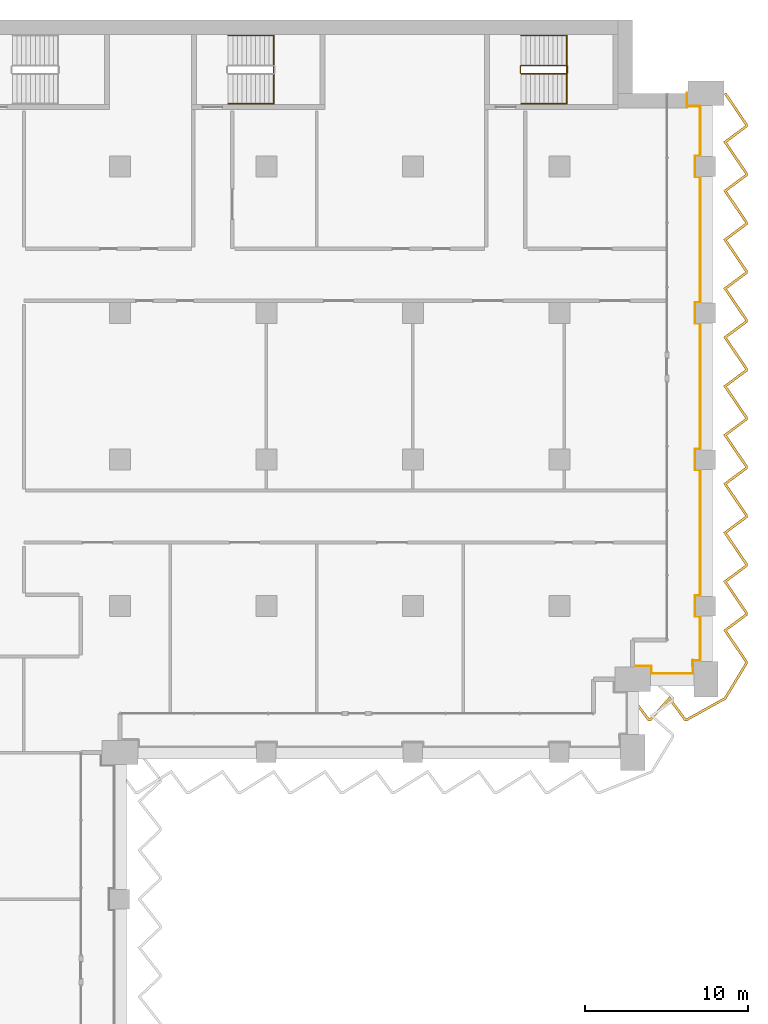
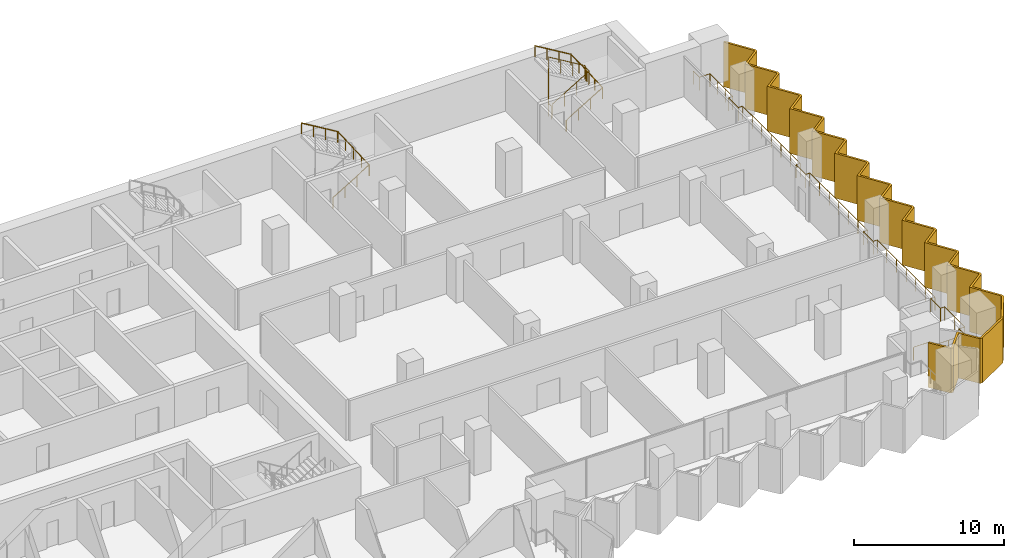
# One storey, part 22 of 22: 4 railings, 1 shading device.
"""IFC4 building model written with IfcOpenShell, lengths in metres."""

import ifcopenshell
import ifcopenshell.guid

model = None  # the IFC model being written
_history = None  # IfcOwnerHistory: only IFC2X3 demands one
_inside = {}  # id of a spatial element -> (the spatial element, [elements in it])
_under = {}  # id of a project, library or spatial element -> (it, [spatial elements below it])
_declared = {}  # id of a project -> (the project, [libraries it declares])
_typed = {}  # id of a type object -> (the type object, [elements of that type])
_made_of = {}  # id of a material, layer set ... -> (it, [elements and type objects made of it])


def new_model(schema):
    """Start an empty IFC model of exactly this schema.

    Asked for "IFC4X3", IfcOpenShell would pick the latest addendum, in which some entities
    have other attributes; the version numbers below select the first issue.
    IFC2X3 requires an IfcOwnerHistory on every rooted entity: one is made here for all.
    """
    global model, _history
    if schema == "IFC4X3":
        model = ifcopenshell.file(schema_version=(4, 3, 0, 0))
    else:
        model = ifcopenshell.file(schema=schema)
    _inside.clear()
    _under.clear()
    _declared.clear()
    _typed.clear()
    _made_of.clear()
    _history = None
    if model.schema == "IFC2X3":
        org = make("IfcOrganization", Name="unknown")
        user = make(
            "IfcPersonAndOrganization",
            ThePerson=make("IfcPerson", FamilyName="unknown"),
            TheOrganization=org,
        )
        app = make(
            "IfcApplication",
            ApplicationDeveloper=org,
            Version="unknown",
            ApplicationFullName="unknown",
            ApplicationIdentifier="unknown",
        )
        _history = make(
            "IfcOwnerHistory",
            OwningUser=user,
            OwningApplication=app,
            ChangeAction="ADDED",
            CreationDate=0,
        )
    return model


def make(cls, **values):
    """One entity of the class cls with the attributes given. An attribute that is None is left unset."""
    return model.create_entity(
        cls, **{name: value for name, value in values.items() if value is not None}
    )


def rooted(cls, **values):
    """An entity with a GlobalId (a new one), such as an element, a storey or a relation."""
    return make(cls, GlobalId=ifcopenshell.guid.new(), OwnerHistory=_history, **values)


def si_unit(unit_type, name, prefix=None):
    """IfcSIUnit, for example si_unit("LENGTHUNIT", "METRE", prefix="MILLI")."""
    return make("IfcSIUnit", UnitType=unit_type, Prefix=prefix, Name=name)


def assignment(units):
    """IfcUnitAssignment: the units of a project."""
    return None if units is None else make("IfcUnitAssignment", Units=units)


def point(xyz):
    """IfcCartesianPoint."""
    return None if xyz is None else make("IfcCartesianPoint", Coordinates=xyz)


def direction(xyz):
    """IfcDirection."""
    return None if xyz is None else make("IfcDirection", DirectionRatios=xyz)


def frame(location, z_axis=None, x_axis=None):
    """IfcAxis2Placement3D, a coordinate frame: its origin and axes. An axis left out is left unset."""
    return make(
        "IfcAxis2Placement3D",
        Location=point(location),
        Axis=direction(z_axis),
        RefDirection=direction(x_axis),
    )


def frame_2d(location, x_axis=None):
    """IfcAxis2Placement2D, a coordinate frame in the plane: its origin and x axis."""
    return make(
        "IfcAxis2Placement2D", Location=point(location), RefDirection=direction(x_axis)
    )


def origin():
    """The frame at (0, 0, 0) with its axes left unset."""
    return frame((0.0, 0.0, 0.0))


def origin_2d():
    """The frame at (0, 0) in the plane with its x axis left unset."""
    return frame_2d((0.0, 0.0))


def place(relative_to, where):
    """IfcLocalPlacement: puts the frame where relative to a parent placement (None: the world)."""
    return make(
        "IfcLocalPlacement", PlacementRelTo=relative_to, RelativePlacement=where
    )


def context(
    kind, dimensions, precision=None, world=None, true_north=None, identifier=None
):
    """IfcGeometricRepresentationContext, for example the 3D "Model" context."""
    return make(
        "IfcGeometricRepresentationContext",
        ContextIdentifier=identifier,
        ContextType=kind,
        CoordinateSpaceDimension=dimensions,
        Precision=precision,
        WorldCoordinateSystem=world,
        TrueNorth=true_north,
    )


def subcontext(parent, identifier, kind, view, scale=None):
    """IfcGeometricRepresentationSubContext, for example "Body" below "Model"."""
    return make(
        "IfcGeometricRepresentationSubContext",
        ContextIdentifier=identifier,
        ContextType=kind,
        ParentContext=parent,
        TargetScale=scale,
        TargetView=view,
    )


def project(units=None, contexts=None):
    """IfcProject with its units and contexts."""
    return rooted(
        "IfcProject",
        Name="project",
        RepresentationContexts=contexts,
        UnitsInContext=assignment(units),
    )


def spatial(cls, under=None, at=None, **own):
    """A site, building, storey or space (cls), placed at a placement, below another one or the project."""
    s = rooted(cls, ObjectPlacement=at, **own)
    if under is not None:
        _under.setdefault(under.id(), (under, []))[1].append(s)
    return s


def polyline(points):
    """IfcPolyline through the points."""
    return make("IfcPolyline", Points=[point(p) for p in points])


def profile(cls, at=None, kind="AREA", **sizes):
    """A parametric profile (cls). Its sizes go by their IFC names, for example OverallWidth=200.0."""
    return make(cls, ProfileType=kind, Position=at, **sizes)


def circle(**sizes):
    """IfcCircleProfileDef."""
    return profile("IfcCircleProfileDef", **sizes)


def outline(outer, holes=None, kind="AREA"):
    """IfcArbitraryClosedProfileDef: a profile drawn as a closed curve; with holes, ...WithVoids."""
    if holes is None:
        return make("IfcArbitraryClosedProfileDef", ProfileType=kind, OuterCurve=outer)
    return make(
        "IfcArbitraryProfileDefWithVoids",
        ProfileType=kind,
        OuterCurve=outer,
        InnerCurves=holes,
    )


def extrude(swept, where, along, depth):
    """IfcExtrudedAreaSolid: the profile swept, set in the frame where, extruded along a direction by depth."""
    return make(
        "IfcExtrudedAreaSolid",
        SweptArea=swept,
        Position=where,
        ExtrudedDirection=direction(along),
        Depth=depth,
    )


def shape(context_of_items, identifier, shape_type, items):
    """IfcShapeRepresentation: the items that make up one representation, for example the "Body"."""
    return make(
        "IfcShapeRepresentation",
        ContextOfItems=context_of_items,
        RepresentationIdentifier=identifier,
        RepresentationType=shape_type,
        Items=items,
    )


def material(Name=None, Category=None):
    """IfcMaterial."""
    return make("IfcMaterial", Name=Name, Category=Category)


def layer(
    of_material, thickness, ventilated=None, Name=None, Category=None, Priority=None
):
    """IfcMaterialLayer: one layer of a wall or slab, of a material (None: an air gap)."""
    return make(
        "IfcMaterialLayer",
        Material=of_material,
        LayerThickness=thickness,
        IsVentilated=ventilated,
        Name=Name,
        Category=Category,
        Priority=Priority,
    )


def layer_set(layers, Name=None):
    """IfcMaterialLayerSet."""
    return make("IfcMaterialLayerSet", MaterialLayers=layers, LayerSetName=Name)


def made_of(thing, what):
    """Note that an element or type object is made of a material, layer set ...; save() writes the relation."""
    if what is not None:
        _made_of.setdefault(what.id(), (what, []))[1].append(thing)
    return thing


def type_object(cls, material=None, **own):
    """A type object (cls), such as IfcWallType, which elements share."""
    return made_of(rooted(cls, **own), material)


def element(
    cls,
    number,
    at=None,
    inside=None,
    cuts=None,
    type_object=None,
    material=None,
    context=None,
    identifier="Body",
    shape_type=None,
    held_by="IfcProductDefinitionShape",
    body=None,
    shapes=None,
    **own,
):
    """One element of the class cls, such as IfcWall. Its Tag is "e" and its number.

    at: its placement. inside: the storey or other place that contains it. cuts: it is an
    opening in that element (IfcRelVoidsElement). A single representation is given by context,
    identifier, shape_type and body (its items); several are given by shapes. held_by: the class
    of the entity that holds the representations. save() writes the other relations.
    """
    e = rooted(cls, Tag="e%d" % number, ObjectPlacement=at, **own)
    if body is not None:
        shapes = [shape(context, identifier, shape_type, body)]
    if shapes is not None:
        e.Representation = make(held_by, Representations=shapes)
    if inside is not None:
        _inside.setdefault(inside.id(), (inside, []))[1].append(e)
    if cuts is not None:
        rooted(
            "IfcRelVoidsElement", RelatingBuildingElement=cuts, RelatedOpeningElement=e
        )
    if type_object is not None:
        _typed.setdefault(type_object.id(), (type_object, []))[1].append(e)
    return made_of(e, material)


def aggregate(whole, parts):
    """IfcRelAggregates: a whole, such as a stair, and the parts it consists of."""
    return rooted("IfcRelAggregates", RelatingObject=whole, RelatedObjects=parts)


def save(model, path):
    """Write the relations noted so far, then the file.

    IfcRelAggregates (storeys below a building ...), IfcRelContainedInSpatialStructure (elements
    in a storey), IfcRelDefinesByType, IfcRelAssociatesMaterial and IfcRelDeclares: one each for
    every whole, place, type object, material and project.
    """
    for whole, parts in _under.values():
        aggregate(whole, parts)
    for where, things in _inside.values():
        rooted(
            "IfcRelContainedInSpatialStructure",
            RelatedElements=things,
            RelatingStructure=where,
        )
    for kind, things in _typed.values():
        rooted("IfcRelDefinesByType", RelatedObjects=things, RelatingType=kind)
    for what, things in _made_of.values():
        rooted("IfcRelAssociatesMaterial", RelatedObjects=things, RelatingMaterial=what)
    for by, libraries in _declared.values():
        rooted("IfcRelDeclares", RelatingContext=by, RelatedDefinitions=libraries)
    model.write(path)


model = new_model("IFC4")

# Units and contexts
model_context = context("Model", 3, precision=1e-05, world=origin(), true_north=direction((0.0, 1.0)))
body_context = subcontext(model_context, "Body", "Model", "MODEL_VIEW")
ifc_project = project(units=[si_unit("LENGTHUNIT", "METRE"), si_unit("AREAUNIT", "SQUARE_METRE"), si_unit("VOLUMEUNIT", "CUBIC_METRE"), si_unit("PLANEANGLEUNIT", "RADIAN"), si_unit("MASSUNIT", "GRAM", prefix="KILO")], contexts=[model_context])

# Site, building, storey
site_placement = place(None, origin())
site = spatial("IfcSite", under=ifc_project, at=site_placement, CompositionType="ELEMENT")
building_placement = place(site_placement, origin())
building = spatial("IfcBuilding", under=site, at=building_placement, Name="Hunhe Ridgeline Campus", CompositionType="ELEMENT")
storey_placement = place(building_placement, frame((0.0, 0.0, 92.199951171875)))
storey = spatial("IfcBuildingStorey", under=building, at=storey_placement, Name="L22", CompositionType="ELEMENT", Elevation=92.199951171875)

# Railing
ifc_material_1 = material(Name="Steel Q355", Category="steel")
railing_type_1 = type_object("IfcRailingType", Name="Loggia guard 1100 Steel Q355", PredefinedType="GUARDRAIL", material=ifc_material_1)
railing_1_placement = place(storey_placement, frame((76.5, 59.320068359375, 0.0)))
element("IfcRailing", 1, at=railing_1_placement, inside=storey, type_object=railing_type_1, Name="Loggia guard 3", PredefinedType="GUARDRAIL", context=body_context, shape_type="SweptSolid", body=[
    extrude(circle(Radius=0.02392578125, at=origin_2d()), frame((0.0, 0.0, 1.076171875), z_axis=(1.0, 0.0, 0.0), x_axis=(0.0, 1.0, 0.0)), (0.0, 0.0, 1.0), 1.14990234375),
    extrude(circle(Radius=0.02392578125, at=origin_2d()), frame((1.14990234375, 0.0, 1.076171875), z_axis=(0.0, -1.0, 0.0), x_axis=(1.0, 0.0, 0.0)), (0.0, 0.0, 1.0), 0.469970703125),
    extrude(circle(Radius=0.02392578125, at=origin_2d()), frame((1.14990234375, -0.469970703125, 1.076171875), z_axis=(1.0, 0.0, 0.0), x_axis=(0.0, 1.0, 0.0)), (0.0, 0.0, 1.0), 2.550048828125),
    extrude(circle(Radius=0.02392578125, at=origin_2d()), frame((3.699951171875, -0.469970703125, 1.076171875), z_axis=(0.0, 1.0, 0.0), x_axis=(-1.0, 0.0, 0.0)), (0.0, 0.0, 1.0), 0.81982421875),
    extrude(circle(Radius=0.02392578125, at=origin_2d()), frame((3.699951171875, 0.349853515625, 1.076171875), z_axis=(-0.057129153726, -0.99836679622, 0.0), x_axis=(0.99836679622, -0.057129153726, 0.0)), (0.0, 0.0, 1.0), 0.350341796875),
    extrude(circle(Radius=0.02392578125, at=origin_2d()), frame((3.679931640625, 0.0, 1.076171875), z_axis=(0.0, 1.0, 0.0), x_axis=(-1.0, 0.0, 0.0)), (0.0, 0.0, 1.0), 0.329833984375),
    extrude(circle(Radius=0.02392578125, at=origin_2d()), frame((3.679931640625, 0.329833984375, 1.076171875), z_axis=(1.0, 0.0, 0.0), x_axis=(0.0, 1.0, 0.0)), (0.0, 0.0, 1.0), 0.469970703125),
    extrude(circle(Radius=0.02392578125, at=origin_2d()), frame((4.14990234375, 0.329833984375, 1.076171875), z_axis=(0.0, 1.0, 0.0), x_axis=(-1.0, 0.0, 0.0)), (0.0, 0.0, 1.0), 2.7001953125),
    extrude(circle(Radius=0.02392578125, at=origin_2d()), frame((4.14990234375, 3.030029296875, 1.076171875), z_axis=(-1.0, 0.0, 0.0), x_axis=(0.0, -1.0, 0.0)), (0.0, 0.0, 1.0), 0.31982421875),
    extrude(circle(Radius=0.02392578125, at=origin_2d()), frame((3.830078125, 3.030029296875, 1.076171875), z_axis=(0.0, 1.0, 0.0), x_axis=(-1.0, 0.0, 0.0)), (0.0, 0.0, 1.0), 1.2998046875),
    extrude(circle(Radius=0.02392578125, at=origin_2d()), frame((3.830078125, 4.329833984375, 1.076171875), z_axis=(1.0, 0.0, 0.0), x_axis=(0.0, 1.0, 0.0)), (0.0, 0.0, 1.0), 0.31982421875),
    extrude(circle(Radius=0.02392578125, at=origin_2d()), frame((4.14990234375, 4.329833984375, 1.076171875), z_axis=(0.0, 1.0, 0.0), x_axis=(-1.0, 0.0, 0.0)), (0.0, 0.0, 1.0), 7.7001953125),
    extrude(circle(Radius=0.02392578125, at=origin_2d()), frame((4.14990234375, 12.030029296875, 1.076171875), z_axis=(-1.0, 0.0, 0.0), x_axis=(0.0, -1.0, 0.0)), (0.0, 0.0, 1.0), 0.31982421875),
    extrude(circle(Radius=0.02392578125, at=origin_2d()), frame((3.830078125, 12.030029296875, 1.076171875), z_axis=(0.0, 1.0, 0.0), x_axis=(-1.0, 0.0, 0.0)), (0.0, 0.0, 1.0), 1.2998046875),
    extrude(circle(Radius=0.02392578125, at=origin_2d()), frame((3.830078125, 13.329833984375, 1.076171875), z_axis=(1.0, 0.0, 0.0), x_axis=(0.0, 1.0, 0.0)), (0.0, 0.0, 1.0), 0.31982421875),
    extrude(circle(Radius=0.02392578125, at=origin_2d()), frame((4.14990234375, 13.329833984375, 1.076171875), z_axis=(0.0, 1.0, 0.0), x_axis=(-1.0, 0.0, 0.0)), (0.0, 0.0, 1.0), 7.7001953125),
    extrude(circle(Radius=0.02392578125, at=origin_2d()), frame((4.14990234375, 21.030029296875, 1.076171875), z_axis=(-1.0, 0.0, 0.0), x_axis=(0.0, -1.0, 0.0)), (0.0, 0.0, 1.0), 0.31982421875),
    extrude(circle(Radius=0.02392578125, at=origin_2d()), frame((3.830078125, 21.030029296875, 1.076171875), z_axis=(0.0, 1.0, 0.0), x_axis=(-1.0, 0.0, 0.0)), (0.0, 0.0, 1.0), 1.2998046875),
    extrude(circle(Radius=0.02392578125, at=origin_2d()), frame((3.830078125, 22.329833984375, 1.076171875), z_axis=(1.0, 0.0, 0.0), x_axis=(0.0, 1.0, 0.0)), (0.0, 0.0, 1.0), 0.31982421875),
    extrude(circle(Radius=0.02392578125, at=origin_2d()), frame((4.14990234375, 22.329833984375, 1.076171875), z_axis=(0.0, 1.0, 0.0), x_axis=(-1.0, 0.0, 0.0)), (0.0, 0.0, 1.0), 7.7001953125),
    extrude(circle(Radius=0.02392578125, at=origin_2d()), frame((4.14990234375, 30.030029296875, 1.076171875), z_axis=(-1.0, 0.0, 0.0), x_axis=(0.0, -1.0, 0.0)), (0.0, 0.0, 1.0), 0.31982421875),
    extrude(circle(Radius=0.02392578125, at=origin_2d()), frame((3.830078125, 30.030029296875, 1.076171875), z_axis=(0.0, 1.0, 0.0), x_axis=(-1.0, 0.0, 0.0)), (0.0, 0.0, 1.0), 1.2998046875),
    extrude(circle(Radius=0.02392578125, at=origin_2d()), frame((3.830078125, 31.329833984375, 1.076171875), z_axis=(1.0, 0.0, 0.0), x_axis=(0.0, 1.0, 0.0)), (0.0, 0.0, 1.0), 0.31982421875),
    extrude(circle(Radius=0.02392578125, at=origin_2d()), frame((4.14990234375, 31.329833984375, 1.076171875), z_axis=(0.0, 1.0, 0.0), x_axis=(-1.0, 0.0, 0.0)), (0.0, 0.0, 1.0), 3.050048828125),
    extrude(circle(Radius=0.02392578125, at=origin_2d()), frame((4.14990234375, 34.3798828125, 1.076171875), z_axis=(-1.0, 0.0, 0.0), x_axis=(0.0, -1.0, 0.0)), (0.0, 0.0, 1.0), 0.81982421875),
    extrude(circle(Radius=0.02392578125, at=origin_2d()), frame((3.330078125, 34.3798828125, 1.076171875), z_axis=(0.0, 1.0, 0.0), x_axis=(-1.0, 0.0, 0.0)), (0.0, 0.0, 1.0), 0.800048828125),
    extrude(circle(Radius=0.02099609375, at=origin_2d()), origin(), (0.0, 0.0, 1.0), 1.052001953125),
    extrude(circle(Radius=0.02099609375, at=origin_2d()), frame((1.14990234375, 0.0, 0.0)), (0.0, 0.0, 1.0), 1.052001953125),
    extrude(circle(Radius=0.02099609375, at=origin_2d()), frame((1.14990234375, -0.469970703125, 0.0)), (0.0, 0.0, 1.0), 1.052001953125),
    extrude(circle(Radius=0.02099609375, at=origin_2d()), frame((2.4248046875, -0.469970703125, 0.0)), (0.0, 0.0, 1.0), 1.052001953125),
    extrude(circle(Radius=0.02099609375, at=origin_2d()), frame((3.699951171875, -0.469970703125, 0.0)), (0.0, 0.0, 1.0), 1.052001953125),
    extrude(circle(Radius=0.02099609375, at=origin_2d()), frame((3.699951171875, 0.349853515625, 0.0)), (0.0, 0.0, 1.0), 1.052001953125),
    extrude(circle(Radius=0.02099609375, at=origin_2d()), frame((3.679931640625, 0.0, 0.0)), (0.0, 0.0, 1.0), 1.052001953125),
    extrude(circle(Radius=0.02099609375, at=origin_2d()), frame((3.679931640625, 0.329833984375, 0.0)), (0.0, 0.0, 1.0), 1.052001953125),
    extrude(circle(Radius=0.02099609375, at=origin_2d()), frame((4.14990234375, 0.329833984375, 0.0)), (0.0, 0.0, 1.0), 1.052001953125),
    extrude(circle(Radius=0.02099609375, at=origin_2d()), frame((4.14990234375, 1.679931640625, 0.0)), (0.0, 0.0, 1.0), 1.052001953125),
    extrude(circle(Radius=0.02099609375, at=origin_2d()), frame((4.14990234375, 3.030029296875, 0.0)), (0.0, 0.0, 1.0), 1.052001953125),
    extrude(circle(Radius=0.02099609375, at=origin_2d()), frame((3.830078125, 3.030029296875, 0.0)), (0.0, 0.0, 1.0), 1.052001953125),
    extrude(circle(Radius=0.02099609375, at=origin_2d()), frame((3.830078125, 4.329833984375, 0.0)), (0.0, 0.0, 1.0), 1.052001953125),
    extrude(circle(Radius=0.02099609375, at=origin_2d()), frame((4.14990234375, 4.329833984375, 0.0)), (0.0, 0.0, 1.0), 1.052001953125),
    extrude(circle(Radius=0.02099609375, at=origin_2d()), frame((4.14990234375, 5.61328125, 0.0)), (0.0, 0.0, 1.0), 1.052001953125),
    extrude(circle(Radius=0.02099609375, at=origin_2d()), frame((4.14990234375, 6.896484375, 0.0)), (0.0, 0.0, 1.0), 1.052001953125),
    extrude(circle(Radius=0.02099609375, at=origin_2d()), frame((4.14990234375, 8.179931640625, 0.0)), (0.0, 0.0, 1.0), 1.052001953125),
    extrude(circle(Radius=0.02099609375, at=origin_2d()), frame((4.14990234375, 9.46337890625, 0.0)), (0.0, 0.0, 1.0), 1.052001953125),
    extrude(circle(Radius=0.02099609375, at=origin_2d()), frame((4.14990234375, 10.74658203125, 0.0)), (0.0, 0.0, 1.0), 1.052001953125),
    extrude(circle(Radius=0.02099609375, at=origin_2d()), frame((4.14990234375, 12.030029296875, 0.0)), (0.0, 0.0, 1.0), 1.052001953125),
    extrude(circle(Radius=0.02099609375, at=origin_2d()), frame((3.830078125, 12.030029296875, 0.0)), (0.0, 0.0, 1.0), 1.052001953125),
    extrude(circle(Radius=0.02099609375, at=origin_2d()), frame((3.830078125, 13.329833984375, 0.0)), (0.0, 0.0, 1.0), 1.052001953125),
    extrude(circle(Radius=0.02099609375, at=origin_2d()), frame((4.14990234375, 13.329833984375, 0.0)), (0.0, 0.0, 1.0), 1.052001953125),
    extrude(circle(Radius=0.02099609375, at=origin_2d()), frame((4.14990234375, 14.61328125, 0.0)), (0.0, 0.0, 1.0), 1.052001953125),
    extrude(circle(Radius=0.02099609375, at=origin_2d()), frame((4.14990234375, 15.896484375, 0.0)), (0.0, 0.0, 1.0), 1.052001953125),
    extrude(circle(Radius=0.02099609375, at=origin_2d()), frame((4.14990234375, 17.179931640625, 0.0)), (0.0, 0.0, 1.0), 1.052001953125),
    extrude(circle(Radius=0.02099609375, at=origin_2d()), frame((4.14990234375, 18.46337890625, 0.0)), (0.0, 0.0, 1.0), 1.052001953125),
    extrude(circle(Radius=0.02099609375, at=origin_2d()), frame((4.14990234375, 19.74658203125, 0.0)), (0.0, 0.0, 1.0), 1.052001953125),
    extrude(circle(Radius=0.02099609375, at=origin_2d()), frame((4.14990234375, 21.030029296875, 0.0)), (0.0, 0.0, 1.0), 1.052001953125),
    extrude(circle(Radius=0.02099609375, at=origin_2d()), frame((3.830078125, 21.030029296875, 0.0)), (0.0, 0.0, 1.0), 1.052001953125),
    extrude(circle(Radius=0.02099609375, at=origin_2d()), frame((3.830078125, 22.329833984375, 0.0)), (0.0, 0.0, 1.0), 1.052001953125),
    extrude(circle(Radius=0.02099609375, at=origin_2d()), frame((4.14990234375, 22.329833984375, 0.0)), (0.0, 0.0, 1.0), 1.052001953125),
    extrude(circle(Radius=0.02099609375, at=origin_2d()), frame((4.14990234375, 23.61328125, 0.0)), (0.0, 0.0, 1.0), 1.052001953125),
    extrude(circle(Radius=0.02099609375, at=origin_2d()), frame((4.14990234375, 24.896484375, 0.0)), (0.0, 0.0, 1.0), 1.052001953125),
    extrude(circle(Radius=0.02099609375, at=origin_2d()), frame((4.14990234375, 26.179931640625, 0.0)), (0.0, 0.0, 1.0), 1.052001953125),
    extrude(circle(Radius=0.02099609375, at=origin_2d()), frame((4.14990234375, 27.46337890625, 0.0)), (0.0, 0.0, 1.0), 1.052001953125),
    extrude(circle(Radius=0.02099609375, at=origin_2d()), frame((4.14990234375, 28.74658203125, 0.0)), (0.0, 0.0, 1.0), 1.052001953125),
    extrude(circle(Radius=0.02099609375, at=origin_2d()), frame((4.14990234375, 30.030029296875, 0.0)), (0.0, 0.0, 1.0), 1.052001953125),
    extrude(circle(Radius=0.02099609375, at=origin_2d()), frame((3.830078125, 30.030029296875, 0.0)), (0.0, 0.0, 1.0), 1.052001953125),
    extrude(circle(Radius=0.02099609375, at=origin_2d()), frame((3.830078125, 31.329833984375, 0.0)), (0.0, 0.0, 1.0), 1.052001953125),
    extrude(circle(Radius=0.02099609375, at=origin_2d()), frame((4.14990234375, 31.329833984375, 0.0)), (0.0, 0.0, 1.0), 1.052001953125),
    extrude(circle(Radius=0.02099609375, at=origin_2d()), frame((4.14990234375, 32.346435546875, 0.0)), (0.0, 0.0, 1.0), 1.052001953125),
    extrude(circle(Radius=0.02099609375, at=origin_2d()), frame((4.14990234375, 33.36328125, 0.0)), (0.0, 0.0, 1.0), 1.052001953125),
    extrude(circle(Radius=0.02099609375, at=origin_2d()), frame((4.14990234375, 34.3798828125, 0.0)), (0.0, 0.0, 1.0), 1.052001953125),
    extrude(circle(Radius=0.02099609375, at=origin_2d()), frame((3.330078125, 34.3798828125, 0.0)), (0.0, 0.0, 1.0), 1.052001953125),
    extrude(circle(Radius=0.02099609375, at=origin_2d()), frame((3.330078125, 35.179931640625, 0.0)), (0.0, 0.0, 1.0), 1.052001953125),
])

# Shading device
ifc_material_2 = material(Name="Concrete C50", Category="concrete")
ifc_layer = layer(ifc_material_2, 0.14990234375)
ifc_layer_set = layer_set([ifc_layer], Name="Sawtooth concrete fin 150 Concrete C50")
shading_device_type = type_object("IfcShadingDeviceType", Name="Sawtooth concrete fin 150 Concrete C50", PredefinedType="USERDEFINED", material=ifc_layer_set)
shading_device_placement = place(storey_placement, frame((0.0, 0.0, -0.949951171875)))
element("IfcShadingDevice", 2, at=shading_device_placement, inside=storey, type_object=shading_device_type, Name="Concrete fin screen 3", ObjectType="FIN", PredefinedType="USERDEFINED", context=body_context, shape_type="SweptSolid", body=[
    extrude(outline(polyline([(76.56005859375, 57.369873046875), (76.43994140625, 57.2802734375), (77.430419921875, 55.949951171875), (77.62158203125, 55.949951171875), (78.74462890625, 57.20654296875), (79.680419921875, 55.949951171875), (79.857666015625, 55.949951171875), (82.228759765625, 57.26904296875), (83.550048828125, 59.447021484375), (83.550048828125, 59.611083984375), (82.27734375, 61.482666015625), (83.550048828125, 62.430419921875), (83.550048828125, 62.611083984375), (82.27734375, 64.482666015625), (83.550048828125, 65.430419921875), (83.550048828125, 65.611083984375), (82.27734375, 67.482666015625), (83.550048828125, 68.430419921875), (83.550048828125, 68.611083984375), (82.27734375, 70.482666015625), (83.550048828125, 71.430419921875), (83.550048828125, 71.611083984375), (82.27734375, 73.482666015625), (83.550048828125, 74.430419921875), (83.550048828125, 74.611083984375), (82.27734375, 76.482666015625), (83.550048828125, 77.430419921875), (83.550048828125, 77.611083984375), (82.27734375, 79.482666015625), (83.550048828125, 80.430419921875), (83.550048828125, 80.611083984375), (82.27734375, 82.482666015625), (83.550048828125, 83.430419921875), (83.550048828125, 83.611083984375), (82.27734375, 85.482666015625), (83.550048828125, 86.430419921875), (83.550048828125, 86.611083984375), (82.27734375, 88.482666015625), (83.550048828125, 89.430419921875), (83.550048828125, 89.611083984375), (82.27734375, 91.482666015625), (83.550048828125, 92.430419921875), (83.550048828125, 92.611083984375), (82.237060546875, 94.542236328125), (82.113037109375, 94.457763671875), (83.39990234375, 92.56494140625), (83.39990234375, 92.505859375), (82.072509765625, 91.517333984375), (83.39990234375, 89.56494140625), (83.39990234375, 89.505859375), (82.072509765625, 88.517333984375), (83.39990234375, 86.56494140625), (83.39990234375, 86.505859375), (82.072509765625, 85.517333984375), (83.39990234375, 83.56494140625), (83.39990234375, 83.505859375), (82.072509765625, 82.517333984375), (83.39990234375, 80.56494140625), (83.39990234375, 80.505859375), (82.072509765625, 79.517333984375), (83.39990234375, 77.56494140625), (83.39990234375, 77.505859375), (82.072509765625, 76.517333984375), (83.39990234375, 74.56494140625), (83.39990234375, 74.505859375), (82.072509765625, 73.517333984375), (83.39990234375, 71.56494140625), (83.39990234375, 71.505859375), (82.072509765625, 70.517333984375), (83.39990234375, 68.56494140625), (83.39990234375, 68.505859375), (82.072509765625, 67.517333984375), (83.39990234375, 65.56494140625), (83.39990234375, 65.505859375), (82.072509765625, 64.517333984375), (83.39990234375, 62.56494140625), (83.39990234375, 62.505859375), (82.072509765625, 61.517333984375), (83.39990234375, 59.56494140625), (83.39990234375, 59.489013671875), (82.12109375, 57.380859375), (79.818603515625, 56.10009765625), (79.755859375, 56.10009765625), (78.75537109375, 57.443359375), (77.554443359375, 56.10009765625), (77.505859375, 56.10009765625), (76.56005859375, 57.369873046875)])), origin(), (0.0, 0.0, 1.0), 3.64990234375),
])

# Railings
ifc_material_3 = material(Name="Stainless steel balustrade", Category="steel")
railing_type_2 = type_object("IfcRailingType", Name="Stair guard 1100 stainless", PredefinedType="GUARDRAIL", material=ifc_material_3)
railing_2_placement = place(storey_placement, frame((69.64990234375, 95.699951171875, 0.168212890625)))
element("IfcRailing", 3, at=railing_2_placement, inside=storey, type_object=railing_type_2, Name="L22 stair E3 guard", PredefinedType="GUARDRAIL", context=body_context, shape_type="SweptSolid", body=[
    extrude(circle(Radius=0.02392578125, at=origin_2d()), frame((0.0, 0.0, 1.076171875), z_axis=(0.857242210791, 0.0, 0.514913383045), x_axis=(0.0, 1.0, 0.0)), (0.0, 0.0, 1.0), 3.266357421875),
    extrude(circle(Radius=0.02392578125, at=origin_2d()), frame((2.800048828125, 0.0, 2.7578125), z_axis=(0.707106781187, 0.707106781187, 0.0), x_axis=(-0.707106781187, 0.707106781187, 0.0)), (0.0, 0.0, 1.0), 0.07080078125),
    extrude(circle(Radius=0.02392578125, at=origin_2d()), frame((2.85009765625, 0.050048828125, 2.7578125), z_axis=(0.0, 1.0, 0.0), x_axis=(-1.0, 0.0, 0.0)), (0.0, 0.0, 1.0), 0.39990234375),
    extrude(circle(Radius=0.02392578125, at=origin_2d()), frame((2.85009765625, 0.449951171875, 2.7578125), z_axis=(-0.274243871929, 0.274243871929, 0.92172696468), x_axis=(-0.707106781187, -0.707106781187, 0.0)), (0.0, 0.0, 1.0), 0.1826171875),
    extrude(circle(Radius=0.02392578125, at=origin_2d()), frame((2.800048828125, 0.5, 2.92626953125), z_axis=(-0.857275202839, 0.0, 0.514858452973), x_axis=(0.0, -1.0, 0.0)), (0.0, 0.0, 1.0), 3.26611328125),
    extrude(circle(Radius=0.02392578125, at=origin_2d()), frame((0.0, 0.5, 4.60791015625), z_axis=(-0.013458453615, -0.013524426427, -0.999817963389), x_axis=(0.708833529934, -0.705375805398, 0.0)), (0.0, 0.0, 1.0), 3.70068359375),
    extrude(circle(Radius=0.02392578125, at=origin_2d()), frame((-0.0498046875, 0.449951171875, 0.90771484375), z_axis=(0.0, -1.0, 0.0), x_axis=(1.0, 0.0, 0.0)), (0.0, 0.0, 1.0), 0.39990234375),
    extrude(circle(Radius=0.02099609375, at=origin_2d()), origin(), (0.0, 0.0, 1.0), 1.052001953125),
    extrude(circle(Radius=0.02099609375, at=origin_2d()), frame((0.933349609375, 0.0, 0.560546875)), (0.0, 0.0, 1.0), 1.052001953125),
    extrude(circle(Radius=0.02099609375, at=origin_2d()), frame((1.86669921875, 0.0, 1.121337890625)), (0.0, 0.0, 1.0), 1.052001953125),
    extrude(circle(Radius=0.02099609375, at=origin_2d()), frame((2.800048828125, 0.0, 1.681884765625)), (0.0, 0.0, 1.0), 1.052001953125),
    extrude(circle(Radius=0.02099609375, at=origin_2d()), frame((2.85009765625, 0.050048828125, 1.681884765625)), (0.0, 0.0, 1.0), 1.052001953125),
    extrude(circle(Radius=0.02099609375, at=origin_2d()), frame((2.85009765625, 0.449951171875, 1.681884765625)), (0.0, 0.0, 1.0), 1.052001953125),
    extrude(circle(Radius=0.02099609375, at=origin_2d()), frame((2.800048828125, 0.5, 1.85009765625)), (0.0, 0.0, 1.0), 1.052001953125),
    extrude(circle(Radius=0.02099609375, at=origin_2d()), frame((1.86669921875, 0.5, 2.41064453125)), (0.0, 0.0, 1.0), 1.052001953125),
    extrude(circle(Radius=0.02099609375, at=origin_2d()), frame((0.933349609375, 0.5, 2.97119140625)), (0.0, 0.0, 1.0), 1.052001953125),
    extrude(circle(Radius=0.02099609375, at=origin_2d()), frame((0.0, 0.5, 3.53173828125)), (0.0, 0.0, 1.0), 1.052001953125),
    extrude(circle(Radius=0.02099609375, at=origin_2d()), frame((-0.012451171875, 0.487548828125, 2.606689453125)), (0.0, 0.0, 1.0), 1.052001953125),
    extrude(circle(Radius=0.02099609375, at=origin_2d()), frame((-0.02490234375, 0.47509765625, 1.681640625)), (0.0, 0.0, 1.0), 1.052001953125),
    extrude(circle(Radius=0.02099609375, at=origin_2d()), frame((-0.037353515625, 0.46240234375, 0.7568359375)), (0.0, 0.0, 1.0), 1.052001953125),
    extrude(circle(Radius=0.02099609375, at=origin_2d()), frame((-0.0498046875, 0.449951171875, -0.168212890625)), (0.0, 0.0, 1.0), 1.052001953125),
    extrude(circle(Radius=0.02099609375, at=origin_2d()), frame((-0.0498046875, 0.050048828125, -0.168212890625)), (0.0, 0.0, 1.0), 1.052001953125),
])
ifc_material_4 = material(Name="Stainless steel handrail", Category="steel")
railing_type_3 = type_object("IfcRailingType", Name="Stair handrail 900 stainless", PredefinedType="HANDRAIL", material=ifc_material_4)
railing_3_placement = place(storey_placement, frame((51.64990234375, 93.85009765625, 0.168212890625)))
element("IfcRailing", 4, at=railing_3_placement, inside=storey, type_object=railing_type_3, Name="L22 stair E2 handrail", PredefinedType="HANDRAIL", context=body_context, shape_type="SweptSolid", body=[
    extrude(circle(Radius=0.02392578125, at=origin_2d()), frame((0.0, 0.0, 0.8759765625), z_axis=(0.857242210791, 0.0, 0.514913383045), x_axis=(0.0, 1.0, 0.0)), (0.0, 0.0, 1.0), 3.266357421875),
    extrude(circle(Radius=0.02392578125, at=origin_2d()), frame((2.800048828125, 0.0, 2.5576171875), z_axis=(0.0, 0.999198916169, 0.040019069537), x_axis=(-1.0, 0.0, 0.0)), (0.0, 0.0, 1.0), 4.203369140625),
    extrude(circle(Radius=0.02392578125, at=origin_2d()), frame((2.800048828125, 4.199951171875, 2.72607421875), z_axis=(-0.857275202839, 0.0, 0.514858452973), x_axis=(0.0, -1.0, 0.0)), (0.0, 0.0, 1.0), 3.26611328125),
    extrude(circle(Radius=0.02099609375, at=origin_2d()), origin(), (0.0, 0.0, 1.0), 0.851806640625),
    extrude(circle(Radius=0.02099609375, at=origin_2d()), frame((0.933349609375, 0.0, 0.560546875)), (0.0, 0.0, 1.0), 0.851806640625),
    extrude(circle(Radius=0.02099609375, at=origin_2d()), frame((1.86669921875, 0.0, 1.121337890625)), (0.0, 0.0, 1.0), 0.851806640625),
    extrude(circle(Radius=0.02099609375, at=origin_2d()), frame((2.800048828125, 0.0, 1.681884765625)), (0.0, 0.0, 1.0), 0.851806640625),
    extrude(circle(Radius=0.02099609375, at=origin_2d()), frame((2.800048828125, 1.050048828125, 1.723876953125)), (0.0, 0.0, 1.0), 0.851806640625),
    extrude(circle(Radius=0.02099609375, at=origin_2d()), frame((2.800048828125, 2.10009765625, 1.76611328125)), (0.0, 0.0, 1.0), 0.851806640625),
    extrude(circle(Radius=0.02099609375, at=origin_2d()), frame((2.800048828125, 3.14990234375, 1.80810546875)), (0.0, 0.0, 1.0), 0.851806640625),
    extrude(circle(Radius=0.02099609375, at=origin_2d()), frame((2.800048828125, 4.199951171875, 1.85009765625)), (0.0, 0.0, 1.0), 0.851806640625),
    extrude(circle(Radius=0.02099609375, at=origin_2d()), frame((1.86669921875, 4.199951171875, 2.41064453125)), (0.0, 0.0, 1.0), 0.851806640625),
    extrude(circle(Radius=0.02099609375, at=origin_2d()), frame((0.933349609375, 4.199951171875, 2.97119140625)), (0.0, 0.0, 1.0), 0.851806640625),
    extrude(circle(Radius=0.02099609375, at=origin_2d()), frame((0.0, 4.199951171875, 3.53173828125)), (0.0, 0.0, 1.0), 0.851806640625),
])
railing_4_placement = place(storey_placement, frame((69.64990234375, 93.85009765625, 0.168212890625)))
element("IfcRailing", 5, at=railing_4_placement, inside=storey, type_object=railing_type_3, Name="L22 stair E3 handrail", PredefinedType="HANDRAIL", context=body_context, shape_type="SweptSolid", body=[
    extrude(circle(Radius=0.02392578125, at=origin_2d()), frame((0.0, 0.0, 0.8759765625), z_axis=(0.857242210791, 0.0, 0.514913383045), x_axis=(0.0, 1.0, 0.0)), (0.0, 0.0, 1.0), 3.266357421875),
    extrude(circle(Radius=0.02392578125, at=origin_2d()), frame((2.800048828125, 0.0, 2.5576171875), z_axis=(0.0, 0.999198916169, 0.040019069537), x_axis=(-1.0, 0.0, 0.0)), (0.0, 0.0, 1.0), 4.203369140625),
    extrude(circle(Radius=0.02392578125, at=origin_2d()), frame((2.800048828125, 4.199951171875, 2.72607421875), z_axis=(-0.857275202839, 0.0, 0.514858452973), x_axis=(0.0, -1.0, 0.0)), (0.0, 0.0, 1.0), 3.26611328125),
    extrude(circle(Radius=0.02099609375, at=origin_2d()), origin(), (0.0, 0.0, 1.0), 0.851806640625),
    extrude(circle(Radius=0.02099609375, at=origin_2d()), frame((0.933349609375, 0.0, 0.560546875)), (0.0, 0.0, 1.0), 0.851806640625),
    extrude(circle(Radius=0.02099609375, at=origin_2d()), frame((1.86669921875, 0.0, 1.121337890625)), (0.0, 0.0, 1.0), 0.851806640625),
    extrude(circle(Radius=0.02099609375, at=origin_2d()), frame((2.800048828125, 0.0, 1.681884765625)), (0.0, 0.0, 1.0), 0.851806640625),
    extrude(circle(Radius=0.02099609375, at=origin_2d()), frame((2.800048828125, 1.050048828125, 1.723876953125)), (0.0, 0.0, 1.0), 0.851806640625),
    extrude(circle(Radius=0.02099609375, at=origin_2d()), frame((2.800048828125, 2.10009765625, 1.76611328125)), (0.0, 0.0, 1.0), 0.851806640625),
    extrude(circle(Radius=0.02099609375, at=origin_2d()), frame((2.800048828125, 3.14990234375, 1.80810546875)), (0.0, 0.0, 1.0), 0.851806640625),
    extrude(circle(Radius=0.02099609375, at=origin_2d()), frame((2.800048828125, 4.199951171875, 1.85009765625)), (0.0, 0.0, 1.0), 0.851806640625),
    extrude(circle(Radius=0.02099609375, at=origin_2d()), frame((1.86669921875, 4.199951171875, 2.41064453125)), (0.0, 0.0, 1.0), 0.851806640625),
    extrude(circle(Radius=0.02099609375, at=origin_2d()), frame((0.933349609375, 4.199951171875, 2.97119140625)), (0.0, 0.0, 1.0), 0.851806640625),
    extrude(circle(Radius=0.02099609375, at=origin_2d()), frame((0.0, 4.199951171875, 3.53173828125)), (0.0, 0.0, 1.0), 0.851806640625),
])

save(model, "model.ifc")
